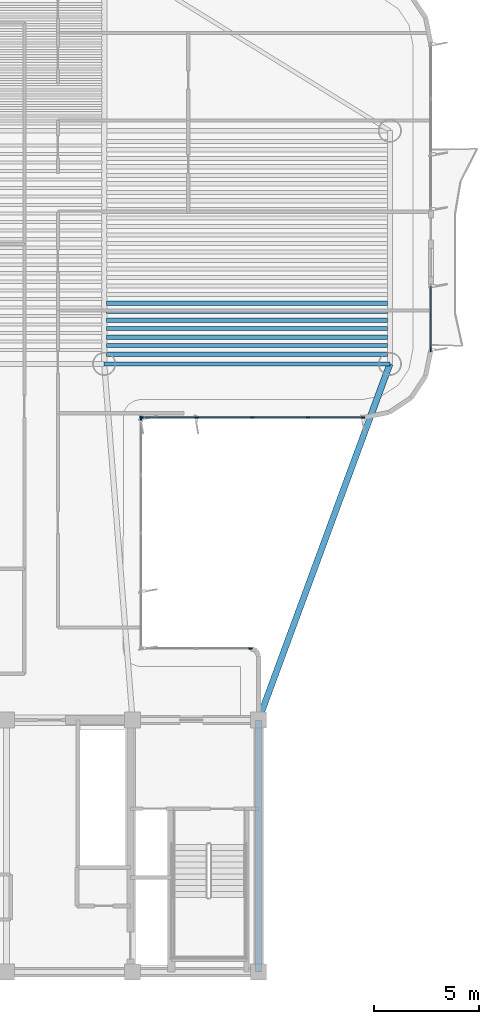
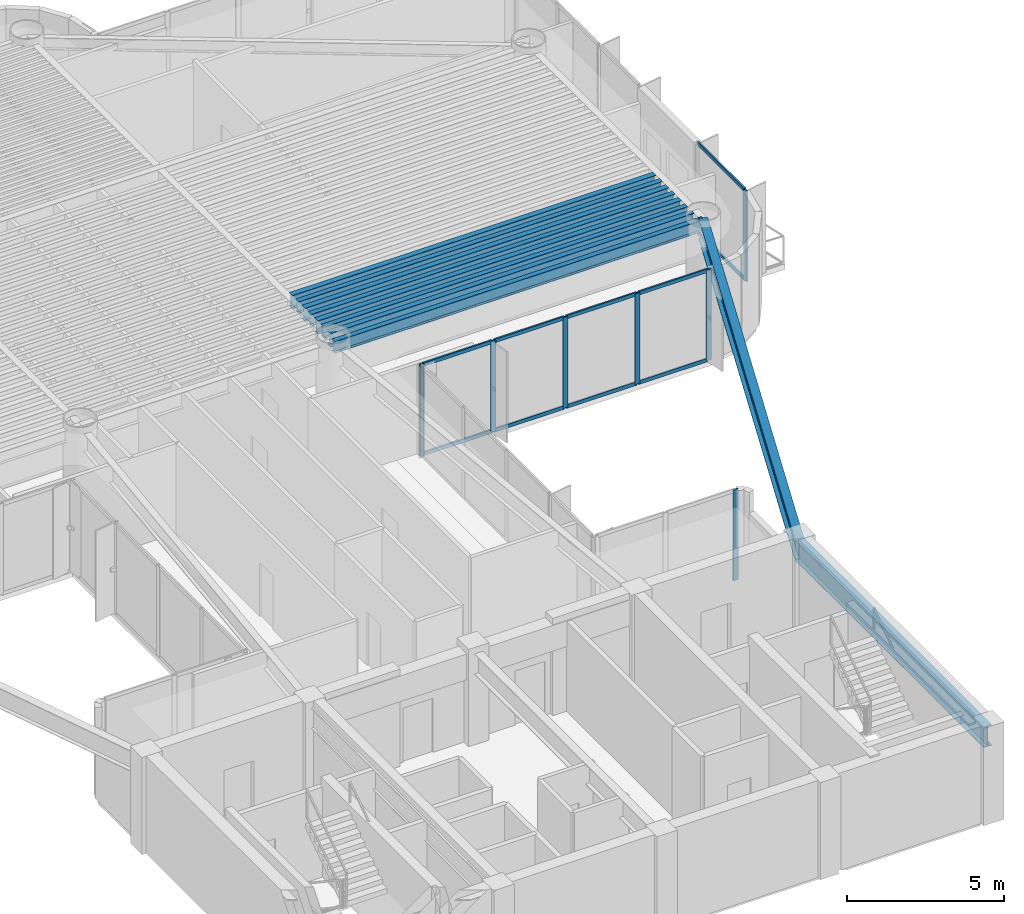
# One storey, part 4 of 14: 18 members, 10 beams, 4 elements without a shape of their own.
"""IFC4 building model written with IfcOpenShell, lengths in metres."""

from ifc_helpers import new_model, si_unit, direction, frame, origin, origin_2d, place, context, subcontext, project, spatial, rectangle, i_section, extrude, source, transform, mapped, material, layer, layer_set, material_profile, profile_set, type_object, element, aggregate, save


model = new_model("IFC4")

# Units and contexts
model_context = context("Model", 3, precision=1e-05, world=origin(), true_north=direction((0.0, 1.0)))
body_context = subcontext(model_context, "Body", "Model", "MODEL_VIEW")
ifc_project = project(units=[si_unit("LENGTHUNIT", "METRE"), si_unit("AREAUNIT", "SQUARE_METRE"), si_unit("VOLUMEUNIT", "CUBIC_METRE"), si_unit("PLANEANGLEUNIT", "RADIAN"), si_unit("MASSUNIT", "GRAM", prefix="KILO")], contexts=[model_context])

# Site, building, storey
site_placement = place(None, origin())
site = spatial("IfcSite", under=ifc_project, at=site_placement, CompositionType="ELEMENT")
building_placement = place(site_placement, origin())
building = spatial("IfcBuilding", under=site, at=building_placement, Name="Brelvock Crest Care Tower", CompositionType="ELEMENT")
storey_placement = place(building_placement, frame((0.0, 0.0, 194.219970703125)))
storey = spatial("IfcBuildingStorey", under=building, at=storey_placement, Name="L49", CompositionType="ELEMENT", Elevation=194.219970703125)

# Beams
ifc_material_1 = material(Name="Steel Grade 350", Category="steel")
ifc_material_profile_1 = material_profile(ifc_material_1, i_section(OverallWidth=0.300048828125, OverallDepth=0.800048828125, WebThickness=0.013916015625, FlangeThickness=0.02197265625, at=origin_2d()), Name="800WB192")
ifc_profile_set_1 = profile_set([ifc_material_profile_1], Name="Steel Grade 350")
beam_type_1 = type_object("IfcBeamType", Name="BM-G5", PredefinedType="BEAM", material=ifc_profile_set_1)
shared_shape_1 = source(origin(), body_context, "Body", "SweptSolid", [
    extrude(i_section(OverallWidth=0.300048828125, OverallDepth=0.800048828125, WebThickness=0.013916015625, FlangeThickness=0.02197265625, at=origin_2d()), origin(), (0.0, 0.0, 1.0), 12.0),
])
beam_1_placement = place(storey_placement, frame((48.0, 6.0, 3.130126953125), z_axis=(0.0, 1.0, 0.0), x_axis=(-1.0, 0.0, 0.0)))
element("IfcBeam", 1, at=beam_1_placement, inside=storey, type_object=beam_type_1, Name="BM-COREX-L49-5", PredefinedType="BEAM", context=body_context, shape_type="MappedRepresentation", body=[
    mapped(shared_shape_1, transform((0.0, 0.0, 0.0), x_axis=(1.0, 0.0, 0.0), y_axis=(0.0, 1.0, 0.0), z_axis=(0.0, 0.0, 1.0), scale=1.0)),
])
ifc_material_profile_2 = material_profile(ifc_material_1, i_section(OverallWidth=0.208984375, OverallDepth=0.532958984375, WebThickness=0.01025390625, FlangeThickness=0.015625, FilletRadius=0.013916015625, at=origin_2d()), Name="530UB92.4")
ifc_profile_set_2 = profile_set([ifc_material_profile_2], Name="Steel Grade 350")
beam_type_2 = type_object("IfcBeamType", Name="BM-G2", PredefinedType="BEAM", material=ifc_profile_set_2)
shared_shape_2 = source(origin(), body_context, "Body", "SweptSolid", [
    extrude(i_section(OverallWidth=0.208984375, OverallDepth=0.532958984375, WebThickness=0.01025390625, FlangeThickness=0.015625, FilletRadius=0.013916015625, at=origin_2d()), origin(), (0.0, 0.0, 1.0), 13.3701171875),
])
for number, where, z_axis, x_axis, name in (
    (2, (40.764892578125, 35.416259765625, 3.263427734375), (1.0, 0.0, 0.0), (0.0, 1.0, 0.0), "BM-JE-L49-1"),
    (3, (40.764892578125, 36.2265625, 3.263427734375), (1.0, 0.0, 0.0), (0.0, 1.0, 0.0), "BM-JE-L49-3"),
    (4, (40.764892578125, 37.036865234375, 3.263427734375), (1.0, 0.0, 0.0), (0.0, 1.0, 0.0), "BM-JE-L49-5"),
    (5, (40.764892578125, 37.84716796875, 3.263427734375), (1.0, 0.0, 0.0), (0.0, 1.0, 0.0), "BM-JE-L49-7"),
):
    element("IfcBeam", number, at=place(storey_placement, frame(where, z_axis=z_axis, x_axis=x_axis)), inside=storey, type_object=beam_type_2, Name=name, PredefinedType="BEAM", context=body_context, shape_type="MappedRepresentation", body=[
        mapped(shared_shape_2, transform((0.0, 0.0, 0.0), x_axis=(1.0, 0.0, 0.0), y_axis=(0.0, 1.0, 0.0), z_axis=(0.0, 0.0, 1.0), scale=1.0)),
    ])
ifc_material_profile_3 = material_profile(ifc_material_1, i_section(OverallWidth=0.19091796875, OverallDepth=0.4599609375, WebThickness=0.010009765625, FlangeThickness=0.01611328125, FilletRadius=0.011474609375, at=origin_2d()), Name="460UB82.1")
ifc_profile_set_3 = profile_set([ifc_material_profile_3], Name="Steel Grade 350")
beam_type_3 = type_object("IfcBeamType", Name="BM-G3", PredefinedType="BEAM", material=ifc_profile_set_3)
shared_shape_3 = source(origin(), body_context, "Body", "SweptSolid", [
    extrude(i_section(OverallWidth=0.19091796875, OverallDepth=0.4599609375, WebThickness=0.010009765625, FlangeThickness=0.01611328125, FilletRadius=0.011474609375, at=origin_2d()), origin(), (0.0, 0.0, 1.0), 13.3701171875),
])
for number, where, z_axis, x_axis, name in (
    (6, (40.764892578125, 35.8212890625, 3.300048828125), (1.0, 0.0, 0.0), (0.0, 1.0, 0.0), "BM-JE-L49-2"),
    (7, (40.764892578125, 36.631591796875, 3.300048828125), (1.0, 0.0, 0.0), (0.0, 1.0, 0.0), "BM-JE-L49-4"),
    (8, (40.764892578125, 37.44189453125, 3.300048828125), (1.0, 0.0, 0.0), (0.0, 1.0, 0.0), "BM-JE-L49-6"),
):
    element("IfcBeam", number, at=place(storey_placement, frame(where, z_axis=z_axis, x_axis=x_axis)), inside=storey, type_object=beam_type_3, Name=name, PredefinedType="BEAM", context=body_context, shape_type="MappedRepresentation", body=[
        mapped(shared_shape_3, transform((0.0, 0.0, 0.0), x_axis=(1.0, 0.0, 0.0), y_axis=(0.0, 1.0, 0.0), z_axis=(0.0, 0.0, 1.0), scale=1.0)),
    ])
ifc_material_profile_4 = material_profile(ifc_material_1, i_section(OverallWidth=0.19091796875, OverallDepth=0.4599609375, WebThickness=0.010009765625, FlangeThickness=0.01611328125, FilletRadius=0.011474609375, at=origin_2d()), Name="460UB82.1")
ifc_profile_set_4 = profile_set([ifc_material_profile_4], Name="Steel Grade 350")
beam_type_4 = type_object("IfcBeamType", Name="BM-SP2", PredefinedType="SPANDREL", material=ifc_profile_set_4)
shared_shape_4 = source(origin(), body_context, "Body", "SweptSolid", [
    extrude(i_section(OverallWidth=0.19091796875, OverallDepth=0.4599609375, WebThickness=0.010009765625, FlangeThickness=0.01611328125, FilletRadius=0.011474609375, at=origin_2d()), origin(), (0.0, 0.0, 1.0), 13.60009765625),
])
beam_2_placement = place(storey_placement, frame((40.64990234375, 34.949951171875, 3.300048828125), z_axis=(1.0, 0.0, 0.0), x_axis=(0.0, 1.0, 0.0)))
element("IfcBeam", 9, at=beam_2_placement, inside=storey, type_object=beam_type_4, Name="BM-TWR-L49-04", PredefinedType="SPANDREL", context=body_context, shape_type="MappedRepresentation", body=[
    mapped(shared_shape_4, transform((0.0, 0.0, 0.0), x_axis=(1.0, 0.0, 0.0), y_axis=(0.0, 1.0, 0.0), z_axis=(0.0, 0.0, 1.0), scale=1.0)),
])
shared_shape_5 = source(origin(), body_context, "Body", "SweptSolid", [
    extrude(i_section(OverallWidth=0.300048828125, OverallDepth=0.800048828125, WebThickness=0.013916015625, FlangeThickness=0.02197265625, at=origin_2d()), origin(), (0.0, 0.0, 1.0), 18.0654296875),
])
beam_3_placement = place(storey_placement, frame((48.0, 18.0, 3.130126953125), z_axis=(0.345962741309, 0.938248251597, 0.0), x_axis=(-0.938248251597, 0.345962741309, 0.0)))
element("IfcBeam", 10, at=beam_3_placement, inside=storey, type_object=beam_type_1, Name="BM-THRO-E-L49", PredefinedType="BEAM", context=body_context, shape_type="MappedRepresentation", body=[
    mapped(shared_shape_5, transform((0.0, 0.0, 0.0), x_axis=(1.0, 0.0, 0.0), y_axis=(0.0, 1.0, 0.0), z_axis=(0.0, 0.0, 1.0), scale=1.0)),
])

# Curtain wall, member
ifc_material_2 = material(Name="Dark Glass Double Glazed Low-E", Category="glass")
ifc_layer = layer(ifc_material_2, 0.22509765625, Name="CWS-4")
ifc_layer_set = layer_set([ifc_layer], Name="Dark Glass Double Glazed Low-E")
curtain_wall_type = type_object("IfcCurtainWallType", Name="CWS-4", PredefinedType="NOTDEFINED", material=ifc_layer_set)
curtain_wall_1_placement = place(storey_placement, origin())
curtain_wall_1 = element("IfcCurtainWall", 11, at=curtain_wall_1_placement, inside=storey, type_object=curtain_wall_type, Name="L49 Curtain Wall E39B", PredefinedType="NOTDEFINED")
ifc_material_3 = material(Name="Aluminium 6063-T6", Category="aluminium")
ifc_material_profile_5 = material_profile(ifc_material_3, rectangle(XDim=0.06005859375, YDim=0.179931640625, at=origin_2d()), Name="ALU60x180")
ifc_profile_set_5 = profile_set([ifc_material_profile_5], Name="Aluminium 6063-T6")
member_type_1 = type_object("IfcMemberType", Name="CWM-2", PredefinedType="MULLION", material=ifc_profile_set_5)
shared_shape_6 = source(origin(), body_context, "Body", "SweptSolid", [
    extrude(rectangle(XDim=0.06005859375, YDim=0.179931640625, at=origin_2d()), origin(), (0.0, 0.0, 1.0), 3.530029296875),
])
member_1_placement = place(storey_placement, frame((56.199951171875, 35.6298828125, 0.0), z_axis=(0.0, 0.0, 1.0), x_axis=(1.0, 0.0, 0.0)))
member_1 = element("IfcMember", 12, at=member_1_placement, type_object=member_type_1, Name="CW-4 mullion 2", PredefinedType="MULLION", context=body_context, shape_type="MappedRepresentation", body=[
    mapped(shared_shape_6, transform((0.0, 0.0, 0.0), x_axis=(1.0, 0.0, 0.0), y_axis=(0.0, 1.0, 0.0), z_axis=(0.0, 0.0, 1.0), scale=1.0)),
])

# Curtain wall, members
curtain_wall_2_placement = place(storey_placement, origin())
curtain_wall_2 = element("IfcCurtainWall", 13, at=curtain_wall_2_placement, inside=storey, type_object=curtain_wall_type, Name="L49 Curtain Wall E44", PredefinedType="NOTDEFINED")
member_2_placement = place(storey_placement, frame((52.969970703125, 32.39990234375, 0.0), z_axis=(0.0, 0.0, 1.0), x_axis=(0.0, -1.0, 0.0)))
member_2 = element("IfcMember", 14, at=member_2_placement, type_object=member_type_1, Name="CW-4 mullion 1", PredefinedType="MULLION", context=body_context, shape_type="MappedRepresentation", body=[
    mapped(shared_shape_6, transform((0.0, 0.0, 0.0), x_axis=(1.0, 0.0, 0.0), y_axis=(0.0, 1.0, 0.0), z_axis=(0.0, 0.0, 1.0), scale=1.0)),
])
member_3_placement = place(storey_placement, frame((50.35009765625, 32.39990234375, 0.0), z_axis=(0.0, 0.0, 1.0), x_axis=(0.0, -1.0, 0.0)))
member_3 = element("IfcMember", 15, at=member_3_placement, type_object=member_type_1, Name="CW-4 mullion 2", PredefinedType="MULLION", context=body_context, shape_type="MappedRepresentation", body=[
    mapped(shared_shape_6, transform((0.0, 0.0, 0.0), x_axis=(1.0, 0.0, 0.0), y_axis=(0.0, 1.0, 0.0), z_axis=(0.0, 0.0, 1.0), scale=1.0)),
])
member_4_placement = place(storey_placement, frame((47.699951171875, 32.39990234375, 0.0), z_axis=(0.0, 0.0, 1.0), x_axis=(0.0, -1.0, 0.0)))
member_4 = element("IfcMember", 16, at=member_4_placement, type_object=member_type_1, Name="CW-4 mullion 3", PredefinedType="MULLION", context=body_context, shape_type="MappedRepresentation", body=[
    mapped(shared_shape_6, transform((0.0, 0.0, 0.0), x_axis=(1.0, 0.0, 0.0), y_axis=(0.0, 1.0, 0.0), z_axis=(0.0, 0.0, 1.0), scale=1.0)),
])
member_5_placement = place(storey_placement, frame((45.050048828125, 32.39990234375, 0.0), z_axis=(0.0, 0.0, 1.0), x_axis=(0.0, -1.0, 0.0)))
member_5 = element("IfcMember", 17, at=member_5_placement, type_object=member_type_1, Name="CW-4 mullion 4", PredefinedType="MULLION", context=body_context, shape_type="MappedRepresentation", body=[
    mapped(shared_shape_6, transform((0.0, 0.0, 0.0), x_axis=(1.0, 0.0, 0.0), y_axis=(0.0, 1.0, 0.0), z_axis=(0.0, 0.0, 1.0), scale=1.0)),
])
member_6_placement = place(storey_placement, frame((42.429931640625, 32.39990234375, 0.0), z_axis=(0.0, 0.0, 1.0), x_axis=(0.0, -1.0, 0.0)))
member_6 = element("IfcMember", 18, at=member_6_placement, type_object=member_type_1, Name="CW-4 mullion 5", PredefinedType="MULLION", context=body_context, shape_type="MappedRepresentation", body=[
    mapped(shared_shape_6, transform((0.0, 0.0, 0.0), x_axis=(1.0, 0.0, 0.0), y_axis=(0.0, 1.0, 0.0), z_axis=(0.0, 0.0, 1.0), scale=1.0)),
])

# Curtain wall, member
curtain_wall_3_placement = place(storey_placement, origin())
curtain_wall_3 = element("IfcCurtainWall", 19, at=curtain_wall_3_placement, inside=storey, type_object=curtain_wall_type, Name="L49 Curtain Wall E45", PredefinedType="NOTDEFINED")
member_7_placement = place(storey_placement, frame((42.39990234375, 32.3701171875, 0.0), z_axis=(0.0, 0.0, 1.0), x_axis=(1.0, 0.0, 0.0)))
member_7 = element("IfcMember", 20, at=member_7_placement, type_object=member_type_1, Name="CW-4 mullion 1", PredefinedType="MULLION", context=body_context, shape_type="MappedRepresentation", body=[
    mapped(shared_shape_6, transform((0.0, 0.0, 0.0), x_axis=(1.0, 0.0, 0.0), y_axis=(0.0, 1.0, 0.0), z_axis=(0.0, 0.0, 1.0), scale=1.0)),
])
aggregate(curtain_wall_3, [member_7])

curtain_wall_4_placement = place(storey_placement, origin())
curtain_wall_4 = element("IfcCurtainWall", 21, at=curtain_wall_4_placement, inside=storey, type_object=curtain_wall_type, Name="L49 Curtain Wall E46", PredefinedType="NOTDEFINED")
member_8_placement = place(storey_placement, frame((47.6201171875, 21.39990234375, 0.0), z_axis=(0.0, 0.0, 1.0), x_axis=(0.0, 1.0, 0.0)))
member_8 = element("IfcMember", 22, at=member_8_placement, type_object=member_type_1, Name="CW-4 mullion 3", PredefinedType="MULLION", context=body_context, shape_type="MappedRepresentation", body=[
    mapped(shared_shape_6, transform((0.0, 0.0, 0.0), x_axis=(1.0, 0.0, 0.0), y_axis=(0.0, 1.0, 0.0), z_axis=(0.0, 0.0, 1.0), scale=1.0)),
])
aggregate(curtain_wall_4, [member_8])

# Member
ifc_material_profile_6 = material_profile(ifc_material_3, rectangle(XDim=0.06005859375, YDim=0.139892578125, at=origin_2d()), Name="ALU60x140")
ifc_profile_set_6 = profile_set([ifc_material_profile_6], Name="Aluminium 6063-T6")
member_type_2 = type_object("IfcMemberType", Name="CWT-2", PredefinedType="USERDEFINED", material=ifc_profile_set_6)
shared_shape_7 = source(origin(), body_context, "Body", "SweptSolid", [
    extrude(rectangle(XDim=0.06005859375, YDim=0.139892578125, at=origin_2d()), origin(), (0.0, 0.0, 1.0), 2.56005859375),
])
member_9_placement = place(storey_placement, frame((52.93994140625, 32.39990234375, 0.030029296875), z_axis=(-1.0, 0.0, 0.0), x_axis=(0.0, -1.0, 0.0)))
member_9 = element("IfcMember", 23, at=member_9_placement, type_object=member_type_2, Name="CW-4 transom 1.1", ObjectType="TRANSOM", PredefinedType="USERDEFINED", context=body_context, shape_type="MappedRepresentation", body=[
    mapped(shared_shape_7, transform((0.0, 0.0, 0.0), x_axis=(1.0, 0.0, 0.0), y_axis=(0.0, 1.0, 0.0), z_axis=(0.0, 0.0, 1.0), scale=1.0)),
])

member_10_placement = place(storey_placement, frame((52.93994140625, 32.39990234375, 3.5), z_axis=(-1.0, 0.0, 0.0), x_axis=(0.0, -1.0, 0.0)))
member_10 = element("IfcMember", 24, at=member_10_placement, type_object=member_type_2, Name="CW-4 transom 1.2", ObjectType="TRANSOM", PredefinedType="USERDEFINED", context=body_context, shape_type="MappedRepresentation", body=[
    mapped(shared_shape_7, transform((0.0, 0.0, 0.0), x_axis=(1.0, 0.0, 0.0), y_axis=(0.0, 1.0, 0.0), z_axis=(0.0, 0.0, 1.0), scale=1.0)),
])

member_11_placement = place(storey_placement, frame((45.02001953125, 32.39990234375, 0.030029296875), z_axis=(-1.0, 0.0, 0.0), x_axis=(0.0, -1.0, 0.0)))
member_11 = element("IfcMember", 25, at=member_11_placement, type_object=member_type_2, Name="CW-4 transom 4.1", ObjectType="TRANSOM", PredefinedType="USERDEFINED", context=body_context, shape_type="MappedRepresentation", body=[
    mapped(shared_shape_7, transform((0.0, 0.0, 0.0), x_axis=(1.0, 0.0, 0.0), y_axis=(0.0, 1.0, 0.0), z_axis=(0.0, 0.0, 1.0), scale=1.0)),
])

member_12_placement = place(storey_placement, frame((45.02001953125, 32.39990234375, 3.5), z_axis=(-1.0, 0.0, 0.0), x_axis=(0.0, -1.0, 0.0)))
member_12 = element("IfcMember", 26, at=member_12_placement, type_object=member_type_2, Name="CW-4 transom 4.2", ObjectType="TRANSOM", PredefinedType="USERDEFINED", context=body_context, shape_type="MappedRepresentation", body=[
    mapped(shared_shape_7, transform((0.0, 0.0, 0.0), x_axis=(1.0, 0.0, 0.0), y_axis=(0.0, 1.0, 0.0), z_axis=(0.0, 0.0, 1.0), scale=1.0)),
])

shared_shape_8 = source(origin(), body_context, "Body", "SweptSolid", [
    extrude(rectangle(XDim=0.06005859375, YDim=0.139892578125, at=origin_2d()), origin(), (0.0, 0.0, 1.0), 2.58984375),
])
member_13_placement = place(storey_placement, frame((47.669921875, 32.39990234375, 0.030029296875), z_axis=(-1.0, 0.0, 0.0), x_axis=(0.0, -1.0, 0.0)))
member_13 = element("IfcMember", 27, at=member_13_placement, type_object=member_type_2, Name="CW-4 transom 3.1", ObjectType="TRANSOM", PredefinedType="USERDEFINED", context=body_context, shape_type="MappedRepresentation", body=[
    mapped(shared_shape_8, transform((0.0, 0.0, 0.0), x_axis=(1.0, 0.0, 0.0), y_axis=(0.0, 1.0, 0.0), z_axis=(0.0, 0.0, 1.0), scale=1.0)),
])

member_14_placement = place(storey_placement, frame((47.669921875, 32.39990234375, 3.5), z_axis=(-1.0, 0.0, 0.0), x_axis=(0.0, -1.0, 0.0)))
member_14 = element("IfcMember", 28, at=member_14_placement, type_object=member_type_2, Name="CW-4 transom 3.2", ObjectType="TRANSOM", PredefinedType="USERDEFINED", context=body_context, shape_type="MappedRepresentation", body=[
    mapped(shared_shape_8, transform((0.0, 0.0, 0.0), x_axis=(1.0, 0.0, 0.0), y_axis=(0.0, 1.0, 0.0), z_axis=(0.0, 0.0, 1.0), scale=1.0)),
])

shared_shape_9 = source(origin(), body_context, "Body", "SweptSolid", [
    extrude(rectangle(XDim=0.06005859375, YDim=0.139892578125, at=origin_2d()), origin(), (0.0, 0.0, 1.0), 2.590087890625),
])
member_15_placement = place(storey_placement, frame((50.320068359375, 32.39990234375, 0.030029296875), z_axis=(-1.0, 0.0, 0.0), x_axis=(0.0, -1.0, 0.0)))
member_15 = element("IfcMember", 29, at=member_15_placement, type_object=member_type_2, Name="CW-4 transom 2.1", ObjectType="TRANSOM", PredefinedType="USERDEFINED", context=body_context, shape_type="MappedRepresentation", body=[
    mapped(shared_shape_9, transform((0.0, 0.0, 0.0), x_axis=(1.0, 0.0, 0.0), y_axis=(0.0, 1.0, 0.0), z_axis=(0.0, 0.0, 1.0), scale=1.0)),
])

member_16_placement = place(storey_placement, frame((50.320068359375, 32.39990234375, 3.5), z_axis=(-1.0, 0.0, 0.0), x_axis=(0.0, -1.0, 0.0)))
member_16 = element("IfcMember", 30, at=member_16_placement, type_object=member_type_2, Name="CW-4 transom 2.2", ObjectType="TRANSOM", PredefinedType="USERDEFINED", context=body_context, shape_type="MappedRepresentation", body=[
    mapped(shared_shape_9, transform((0.0, 0.0, 0.0), x_axis=(1.0, 0.0, 0.0), y_axis=(0.0, 1.0, 0.0), z_axis=(0.0, 0.0, 1.0), scale=1.0)),
])

aggregate(curtain_wall_2, [member_2, member_3, member_4, member_5, member_6, member_9, member_10, member_15, member_16, member_13, member_14, member_11, member_12])

shared_shape_10 = source(origin(), body_context, "Body", "SweptSolid", [
    extrude(rectangle(XDim=0.06005859375, YDim=0.139892578125, at=origin_2d()), origin(), (0.0, 0.0, 1.0), 2.97998046875),
])
member_17_placement = place(storey_placement, frame((56.199951171875, 38.639892578125, 0.030029296875), z_axis=(0.0, -1.0, 0.0), x_axis=(1.0, 0.0, 0.0)))
member_17 = element("IfcMember", 31, at=member_17_placement, type_object=member_type_2, Name="CW-4 transom 1.1", ObjectType="TRANSOM", PredefinedType="USERDEFINED", context=body_context, shape_type="MappedRepresentation", body=[
    mapped(shared_shape_10, transform((0.0, 0.0, 0.0), x_axis=(1.0, 0.0, 0.0), y_axis=(0.0, 1.0, 0.0), z_axis=(0.0, 0.0, 1.0), scale=1.0)),
])

member_18_placement = place(storey_placement, frame((56.199951171875, 38.639892578125, 3.5), z_axis=(0.0, -1.0, 0.0), x_axis=(1.0, 0.0, 0.0)))
member_18 = element("IfcMember", 32, at=member_18_placement, type_object=member_type_2, Name="CW-4 transom 1.2", ObjectType="TRANSOM", PredefinedType="USERDEFINED", context=body_context, shape_type="MappedRepresentation", body=[
    mapped(shared_shape_10, transform((0.0, 0.0, 0.0), x_axis=(1.0, 0.0, 0.0), y_axis=(0.0, 1.0, 0.0), z_axis=(0.0, 0.0, 1.0), scale=1.0)),
])

aggregate(curtain_wall_1, [member_1, member_17, member_18])

save(model, "model.ifc")
